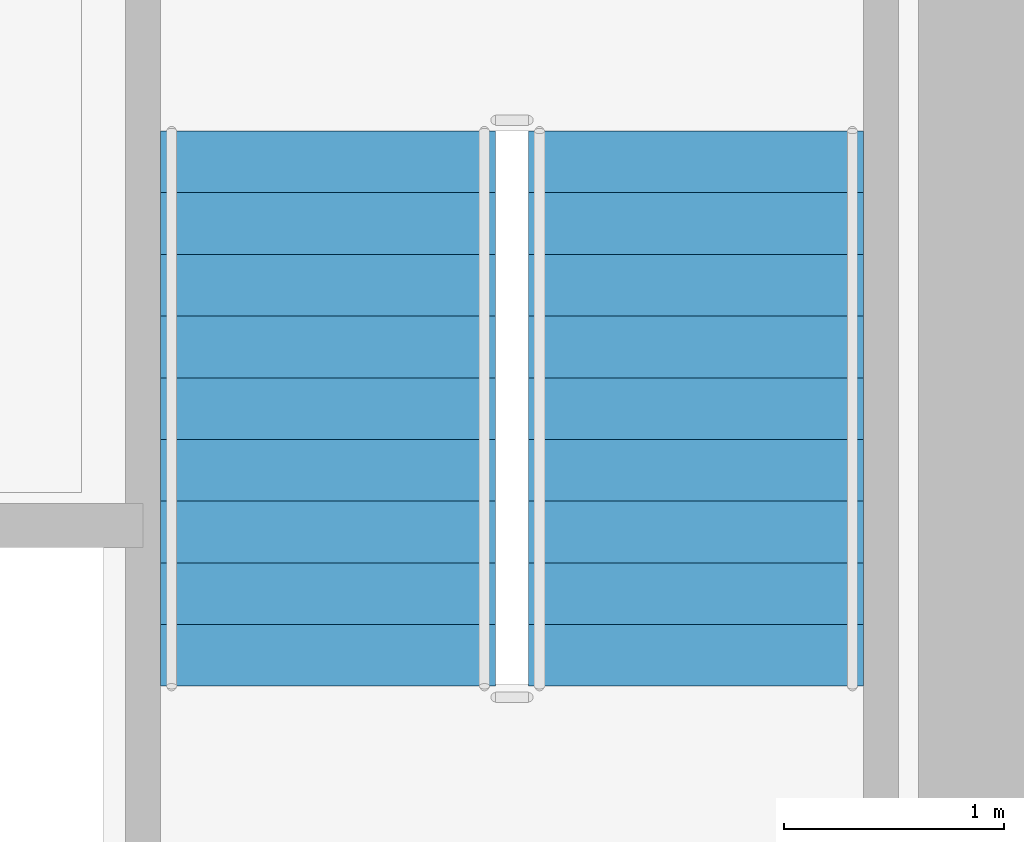
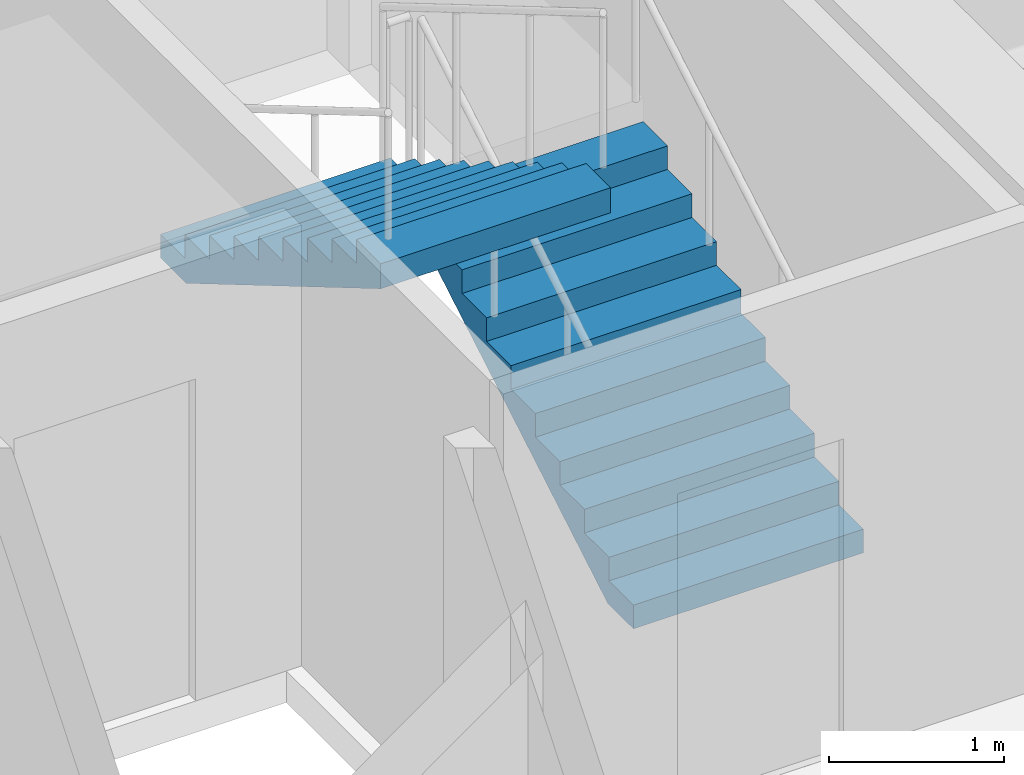
# One storey, part 34 of 36: 2 stair flights, 1 element without a shape of its own.
"""IFC4 building model written with IfcOpenShell, lengths in metres."""

from ifc_helpers import new_model, si_unit, direction, frame, origin, place, context, subcontext, project, spatial, polyline, outline, extrude, material, type_object, element, aggregate, save


model = new_model("IFC4")

# Units and contexts
model_context = context("Model", 3, precision=1e-05, world=origin(), true_north=direction((0.0, 1.0)))
body_context = subcontext(model_context, "Body", "Model", "MODEL_VIEW")
ifc_project = project(units=[si_unit("LENGTHUNIT", "METRE"), si_unit("AREAUNIT", "SQUARE_METRE"), si_unit("VOLUMEUNIT", "CUBIC_METRE"), si_unit("PLANEANGLEUNIT", "RADIAN"), si_unit("MASSUNIT", "GRAM", prefix="KILO")], contexts=[model_context])

# Site, building, storey
site_placement = place(None, origin())
site = spatial("IfcSite", under=ifc_project, at=site_placement, CompositionType="ELEMENT")
building_placement = place(site_placement, origin())
building = spatial("IfcBuilding", under=site, at=building_placement, Name="Kolvaren Belvedere", CompositionType="ELEMENT")
storey_placement = place(building_placement, frame((0.0, 0.0, 95.300048828125)))
storey = spatial("IfcBuildingStorey", under=building, at=storey_placement, Name="L27", CompositionType="ELEMENT", Elevation=95.300048828125)

# Stair, stair flights
ifc_material_1 = material(Name="Concrete C50/60", Category="concrete")
stair_type = type_object("IfcStairType", Name="ST-CORE-1520", PredefinedType="HALF_TURN_STAIR", material=ifc_material_1)
stair_placement = place(storey_placement, origin())
stair = element("IfcStair", 1, at=stair_placement, inside=storey, type_object=stair_type, Name="L27 Protected Exit Stair ST-2", PredefinedType="HALF_TURN_STAIR")
ifc_material_2 = material(Name="Concrete C50/60", Category="concrete")
stair_flight_type = type_object("IfcStairFlightType", Name="SF-STR-1520", PredefinedType="STRAIGHT", material=ifc_material_2)
stair_flight_1_placement = place(storey_placement, frame((8.590087890625, 3.570068359375, 0.0), z_axis=(0.0, 0.0, 1.0), x_axis=(0.0, 1.0, 0.0)))
stair_flight_1 = element("IfcStairFlight", 2, at=stair_flight_1_placement, type_object=stair_flight_type, Name="ST-2 flight 1", NumberOfRisers=10, NumberOfTreads=9, PredefinedType="STRAIGHT", RiserHeight=0.165, TreadLength=0.28, context=body_context, shape_type="SweptSolid", body=[
    extrude(outline(polyline([(0.0, 0.0), (0.0, 0.1650390625), (0.280029296875, 0.1650390625), (0.280029296875, 0.330078125), (0.56005859375, 0.330078125), (0.56005859375, 0.4951171875), (0.840087890625, 0.4951171875), (0.840087890625, 0.659912109375), (1.1201171875, 0.659912109375), (1.1201171875, 0.824951171875), (1.39990234375, 0.824951171875), (1.39990234375, 0.989990234375), (1.679931640625, 0.989990234375), (1.679931640625, 1.155029296875), (1.9599609375, 1.155029296875), (1.9599609375, 1.320068359375), (2.239990234375, 1.320068359375), (2.239990234375, 1.485107421875), (2.52001953125, 1.485107421875), (2.52001953125, 1.64990234375), (2.52001953125, 1.31103515625), (0.295166015625, 0.0), (0.0, 0.0)])), frame((0.0, 0.760009765625, 0.0), z_axis=(0.0, -1.0, 0.0), x_axis=(1.0, 0.0, 0.0)), (0.0, 0.0, 1.0), 1.52001953125),
])
stair_flight_2_placement = place(storey_placement, frame((6.919921875, 6.090087890625, 1.64990234375), z_axis=(0.0, 0.0, 1.0), x_axis=(0.0, -1.0, 0.0)))
stair_flight_2 = element("IfcStairFlight", 3, at=stair_flight_2_placement, type_object=stair_flight_type, Name="ST-2 flight 2", NumberOfRisers=10, NumberOfTreads=9, PredefinedType="STRAIGHT", RiserHeight=0.165, TreadLength=0.28, context=body_context, shape_type="SweptSolid", body=[
    extrude(outline(polyline([(0.0, 0.0), (0.0, 0.1650390625), (0.280029296875, 0.1650390625), (0.280029296875, 0.330078125), (0.56005859375, 0.330078125), (0.56005859375, 0.4951171875), (0.840087890625, 0.4951171875), (0.840087890625, 0.659912109375), (1.1201171875, 0.659912109375), (1.1201171875, 0.824951171875), (1.39990234375, 0.824951171875), (1.39990234375, 0.989990234375), (1.679931640625, 0.989990234375), (1.679931640625, 1.155029296875), (1.9599609375, 1.155029296875), (1.9599609375, 1.320068359375), (2.239990234375, 1.320068359375), (2.239990234375, 1.485107421875), (2.52001953125, 1.485107421875), (2.52001953125, 1.64990234375), (2.52001953125, 1.31103515625), (0.295166015625, 0.0), (0.0, 0.0)])), frame((0.0, 0.760009765625, 0.0), z_axis=(0.0, -1.0, 0.0), x_axis=(1.0, 0.0, 0.0)), (0.0, 0.0, 1.0), 1.52001953125),
])
aggregate(stair, [stair_flight_1, stair_flight_2])

save(model, "model.ifc")
